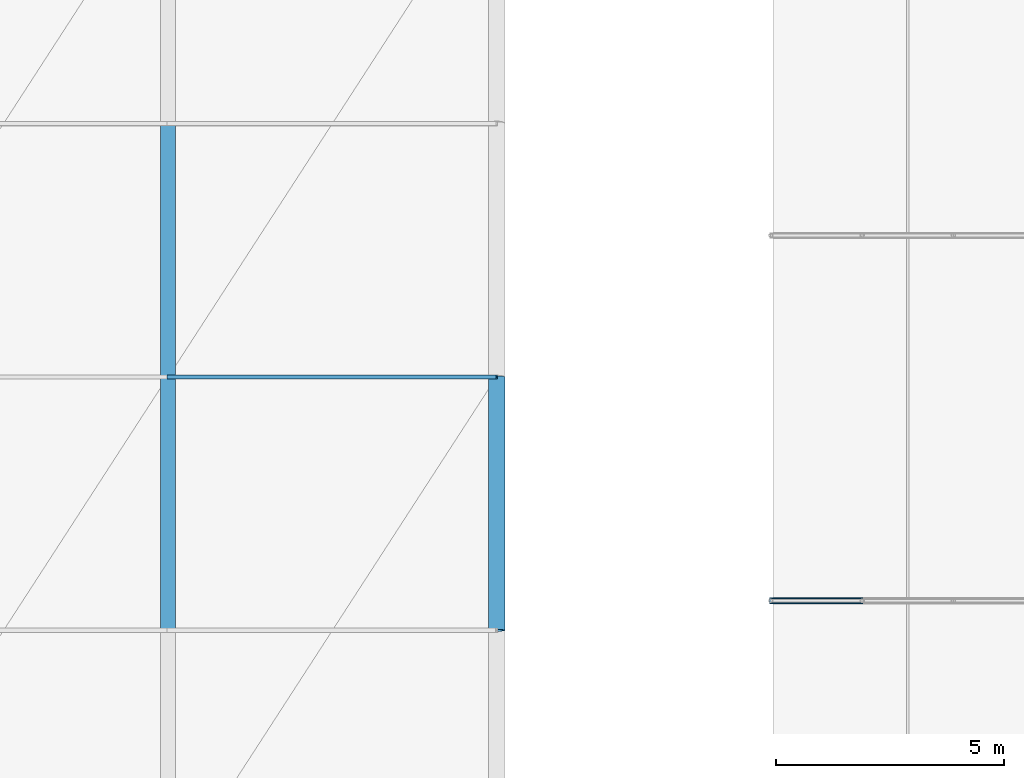
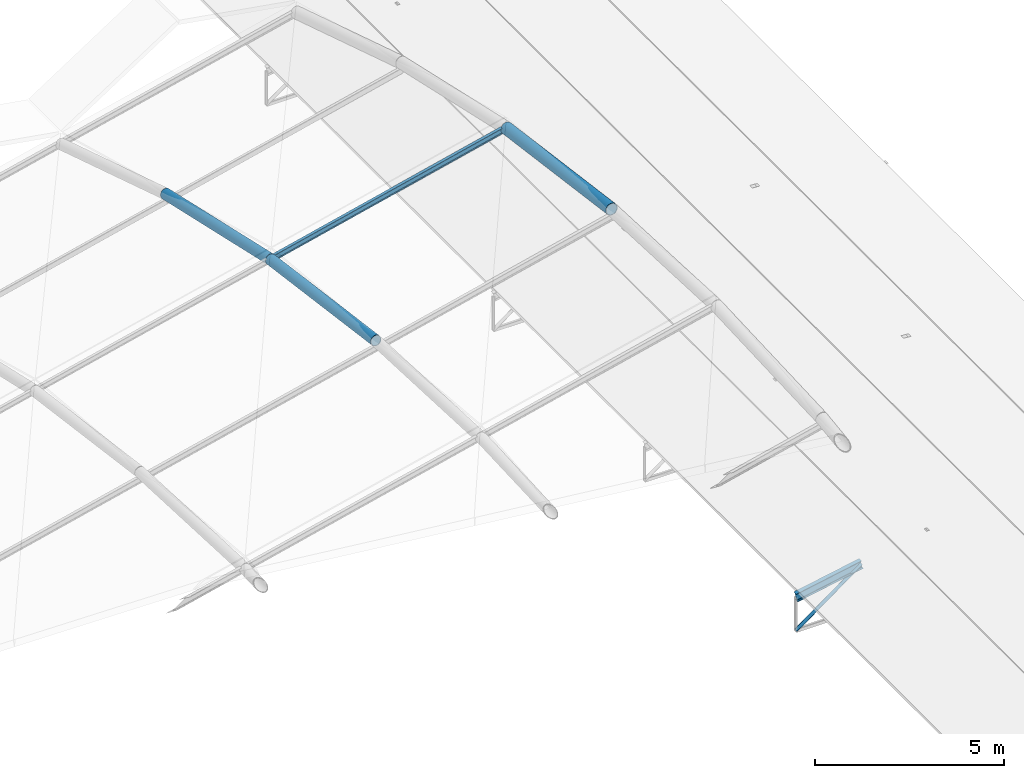
# One storey, part 18 of 54: 6 members.
"""IFC4 building model written with IfcOpenShell, lengths in metres."""

import ifcopenshell
import ifcopenshell.guid

model = None  # the IFC model being written
_history = None  # IfcOwnerHistory: only IFC2X3 demands one
_inside = {}  # id of a spatial element -> (the spatial element, [elements in it])
_under = {}  # id of a project, library or spatial element -> (it, [spatial elements below it])
_declared = {}  # id of a project -> (the project, [libraries it declares])
_typed = {}  # id of a type object -> (the type object, [elements of that type])
_made_of = {}  # id of a material, layer set ... -> (it, [elements and type objects made of it])


def new_model(schema):
    """Start an empty IFC model of exactly this schema.

    Asked for "IFC4X3", IfcOpenShell would pick the latest addendum, in which some entities
    have other attributes; the version numbers below select the first issue.
    IFC2X3 requires an IfcOwnerHistory on every rooted entity: one is made here for all.
    """
    global model, _history
    if schema == "IFC4X3":
        model = ifcopenshell.file(schema_version=(4, 3, 0, 0))
    else:
        model = ifcopenshell.file(schema=schema)
    _inside.clear()
    _under.clear()
    _declared.clear()
    _typed.clear()
    _made_of.clear()
    _history = None
    if model.schema == "IFC2X3":
        org = make("IfcOrganization", Name="unknown")
        user = make(
            "IfcPersonAndOrganization",
            ThePerson=make("IfcPerson", FamilyName="unknown"),
            TheOrganization=org,
        )
        app = make(
            "IfcApplication",
            ApplicationDeveloper=org,
            Version="unknown",
            ApplicationFullName="unknown",
            ApplicationIdentifier="unknown",
        )
        _history = make(
            "IfcOwnerHistory",
            OwningUser=user,
            OwningApplication=app,
            ChangeAction="ADDED",
            CreationDate=0,
        )
    return model


def make(cls, **values):
    """One entity of the class cls with the attributes given. An attribute that is None is left unset."""
    return model.create_entity(
        cls, **{name: value for name, value in values.items() if value is not None}
    )


def rooted(cls, **values):
    """An entity with a GlobalId (a new one), such as an element, a storey or a relation."""
    return make(cls, GlobalId=ifcopenshell.guid.new(), OwnerHistory=_history, **values)


def si_unit(unit_type, name, prefix=None):
    """IfcSIUnit, for example si_unit("LENGTHUNIT", "METRE", prefix="MILLI")."""
    return make("IfcSIUnit", UnitType=unit_type, Prefix=prefix, Name=name)


def derived_unit(unit_type, elements):
    """IfcDerivedUnit: a product of units, each with its exponent."""
    return make(
        "IfcDerivedUnit",
        Elements=[
            make("IfcDerivedUnitElement", Unit=unit, Exponent=power)
            for unit, power in elements
        ],
        UnitType=unit_type,
    )


def assignment(units):
    """IfcUnitAssignment: the units of a project."""
    return None if units is None else make("IfcUnitAssignment", Units=units)


def point(xyz):
    """IfcCartesianPoint."""
    return None if xyz is None else make("IfcCartesianPoint", Coordinates=xyz)


def direction(xyz):
    """IfcDirection."""
    return None if xyz is None else make("IfcDirection", DirectionRatios=xyz)


def frame(location, z_axis=None, x_axis=None):
    """IfcAxis2Placement3D, a coordinate frame: its origin and axes. An axis left out is left unset."""
    return make(
        "IfcAxis2Placement3D",
        Location=point(location),
        Axis=direction(z_axis),
        RefDirection=direction(x_axis),
    )


def frame_2d(location, x_axis=None):
    """IfcAxis2Placement2D, a coordinate frame in the plane: its origin and x axis."""
    return make(
        "IfcAxis2Placement2D", Location=point(location), RefDirection=direction(x_axis)
    )


def origin():
    """The frame at (0, 0, 0) with its axes left unset."""
    return frame((0.0, 0.0, 0.0))


def origin_2d():
    """The frame at (0, 0) in the plane with its x axis left unset."""
    return frame_2d((0.0, 0.0))


def place(relative_to, where):
    """IfcLocalPlacement: puts the frame where relative to a parent placement (None: the world)."""
    return make(
        "IfcLocalPlacement", PlacementRelTo=relative_to, RelativePlacement=where
    )


def context(
    kind, dimensions, precision=None, world=None, true_north=None, identifier=None
):
    """IfcGeometricRepresentationContext, for example the 3D "Model" context."""
    return make(
        "IfcGeometricRepresentationContext",
        ContextIdentifier=identifier,
        ContextType=kind,
        CoordinateSpaceDimension=dimensions,
        Precision=precision,
        WorldCoordinateSystem=world,
        TrueNorth=true_north,
    )


def subcontext(parent, identifier, kind, view, scale=None):
    """IfcGeometricRepresentationSubContext, for example "Body" below "Model"."""
    return make(
        "IfcGeometricRepresentationSubContext",
        ContextIdentifier=identifier,
        ContextType=kind,
        ParentContext=parent,
        TargetScale=scale,
        TargetView=view,
    )


def project(units=None, contexts=None):
    """IfcProject with its units and contexts."""
    return rooted(
        "IfcProject",
        Name="project",
        RepresentationContexts=contexts,
        UnitsInContext=assignment(units),
    )


def spatial(cls, under=None, at=None, **own):
    """A site, building, storey or space (cls), placed at a placement, below another one or the project."""
    s = rooted(cls, ObjectPlacement=at, **own)
    if under is not None:
        _under.setdefault(under.id(), (under, []))[1].append(s)
    return s


def profile(cls, at=None, kind="AREA", **sizes):
    """A parametric profile (cls). Its sizes go by their IFC names, for example OverallWidth=200.0."""
    return make(cls, ProfileType=kind, Position=at, **sizes)


def hollow_circle(**sizes):
    """IfcCircleHollowProfileDef."""
    return profile("IfcCircleHollowProfileDef", **sizes)


def i_section(**sizes):
    """IfcIShapeProfileDef."""
    return profile("IfcIShapeProfileDef", **sizes)


def extrude(swept, where, along, depth):
    """IfcExtrudedAreaSolid: the profile swept, set in the frame where, extruded along a direction by depth."""
    return make(
        "IfcExtrudedAreaSolid",
        SweptArea=swept,
        Position=where,
        ExtrudedDirection=direction(along),
        Depth=depth,
    )


def shape(context_of_items, identifier, shape_type, items):
    """IfcShapeRepresentation: the items that make up one representation, for example the "Body"."""
    return make(
        "IfcShapeRepresentation",
        ContextOfItems=context_of_items,
        RepresentationIdentifier=identifier,
        RepresentationType=shape_type,
        Items=items,
    )


def material(Name=None, Category=None):
    """IfcMaterial."""
    return make("IfcMaterial", Name=Name, Category=Category)


def material_profile(
    of_material, cross_section, Name=None, Category=None, Priority=None
):
    """IfcMaterialProfile: a cross section and its material."""
    return make(
        "IfcMaterialProfile",
        Name=Name,
        Material=of_material,
        Profile=cross_section,
        Priority=Priority,
        Category=Category,
    )


def profile_set(profiles, Name=None, composite=None):
    """IfcMaterialProfileSet."""
    return make(
        "IfcMaterialProfileSet",
        Name=Name,
        MaterialProfiles=profiles,
        CompositeProfile=composite,
    )


def made_of(thing, what):
    """Note that an element or type object is made of a material, layer set ...; save() writes the relation."""
    if what is not None:
        _made_of.setdefault(what.id(), (what, []))[1].append(thing)
    return thing


def type_object(cls, material=None, **own):
    """A type object (cls), such as IfcWallType, which elements share."""
    return made_of(rooted(cls, **own), material)


def element(
    cls,
    number,
    at=None,
    inside=None,
    cuts=None,
    type_object=None,
    material=None,
    context=None,
    identifier="Body",
    shape_type=None,
    held_by="IfcProductDefinitionShape",
    body=None,
    shapes=None,
    **own,
):
    """One element of the class cls, such as IfcWall. Its Tag is "e" and its number.

    at: its placement. inside: the storey or other place that contains it. cuts: it is an
    opening in that element (IfcRelVoidsElement). A single representation is given by context,
    identifier, shape_type and body (its items); several are given by shapes. held_by: the class
    of the entity that holds the representations. save() writes the other relations.
    """
    e = rooted(cls, Tag="e%d" % number, ObjectPlacement=at, **own)
    if body is not None:
        shapes = [shape(context, identifier, shape_type, body)]
    if shapes is not None:
        e.Representation = make(held_by, Representations=shapes)
    if inside is not None:
        _inside.setdefault(inside.id(), (inside, []))[1].append(e)
    if cuts is not None:
        rooted(
            "IfcRelVoidsElement", RelatingBuildingElement=cuts, RelatedOpeningElement=e
        )
    if type_object is not None:
        _typed.setdefault(type_object.id(), (type_object, []))[1].append(e)
    return made_of(e, material)


def aggregate(whole, parts):
    """IfcRelAggregates: a whole, such as a stair, and the parts it consists of."""
    return rooted("IfcRelAggregates", RelatingObject=whole, RelatedObjects=parts)


def save(model, path):
    """Write the relations noted so far, then the file.

    IfcRelAggregates (storeys below a building ...), IfcRelContainedInSpatialStructure (elements
    in a storey), IfcRelDefinesByType, IfcRelAssociatesMaterial and IfcRelDeclares: one each for
    every whole, place, type object, material and project.
    """
    for whole, parts in _under.values():
        aggregate(whole, parts)
    for where, things in _inside.values():
        rooted(
            "IfcRelContainedInSpatialStructure",
            RelatedElements=things,
            RelatingStructure=where,
        )
    for kind, things in _typed.values():
        rooted("IfcRelDefinesByType", RelatedObjects=things, RelatingType=kind)
    for what, things in _made_of.values():
        rooted("IfcRelAssociatesMaterial", RelatedObjects=things, RelatingMaterial=what)
    for by, libraries in _declared.values():
        rooted("IfcRelDeclares", RelatingContext=by, RelatedDefinitions=libraries)
    model.write(path)


model = new_model("IFC4")

# Units and contexts
model_context = context("Model", 3, precision=1e-05, world=origin(), true_north=direction((0.0, 1.0)))
body_context = subcontext(model_context, "Body", "Model", "MODEL_VIEW")
ifc_project = project(units=[si_unit("LENGTHUNIT", "METRE"), si_unit("AREAUNIT", "SQUARE_METRE"), si_unit("VOLUMEUNIT", "CUBIC_METRE"), si_unit("PLANEANGLEUNIT", "RADIAN"), si_unit("MASSUNIT", "GRAM", prefix="KILO"), derived_unit("THERMALTRANSMITTANCEUNIT", [(si_unit("POWERUNIT", "WATT"), 1), (si_unit("LENGTHUNIT", "METRE"), -2), (si_unit("THERMODYNAMICTEMPERATUREUNIT", "KELVIN"), -1)])], contexts=[model_context])

# Site, building, storey
site_placement = place(None, origin())
site = spatial("IfcSite", under=ifc_project, at=site_placement, CompositionType="ELEMENT")
building_placement = place(site_placement, origin())
building = spatial("IfcBuilding", under=site, at=building_placement, Name="Keldorne Ridge Multi-Sports Centre", CompositionType="ELEMENT")
storey_placement = place(building_placement, frame((0.0, 0.0, 22.199951171875)))
storey = spatial("IfcBuildingStorey", under=building, at=storey_placement, Name="ROOF", CompositionType="ELEMENT", Elevation=22.199951171875)

# Members
ifc_material = material(Name="Steel S355", Category="steel")
ifc_material_profile_1 = material_profile(ifc_material, i_section(OverallWidth=0.091064453125, OverallDepth=0.179931640625, WebThickness=0.00537109375, FlangeThickness=0.008056640625, FilletRadius=0.009033203125, at=origin_2d()), Name="IPE 180")
ifc_profile_set_1 = profile_set([ifc_material_profile_1], Name="Steel S355")
member_type_1 = type_object("IfcMemberType", Name="MEM-PR-02", PredefinedType="PURLIN", material=ifc_profile_set_1)
member_1_placement = place(storey_placement, frame((70.800048828125, 42.89990234375, -0.079833984375), z_axis=(0.972632545932, 0.0, 0.232348726259), x_axis=(0.0, 1.0, 0.0)))
element("IfcMember", 1, at=member_1_placement, inside=storey, type_object=member_type_1, Name="Main Hall roof purlin 10.7", PredefinedType="PURLIN", context=body_context, shape_type="SweptSolid", body=[
    extrude(i_section(OverallWidth=0.091064453125, OverallDepth=0.179931640625, WebThickness=0.00537109375, FlangeThickness=0.008056640625, FilletRadius=0.009033203125, at=origin_2d()), origin(), (0.0, 0.0, 1.0), 7.402587890625),
])
ifc_material_profile_2 = material_profile(ifc_material, i_section(OverallWidth=0.135009765625, OverallDepth=0.27001953125, WebThickness=0.006591796875, FlangeThickness=0.01025390625, FilletRadius=0.014892578125, at=origin_2d()), Name="IPE 270")
ifc_profile_set_2 = profile_set([ifc_material_profile_2], Name="Steel S355")
member_type_2 = type_object("IfcMemberType", Name="MEM-RF-02", PredefinedType="RAFTER", material=ifc_profile_set_2)
member_2_placement = place(storey_placement, frame((84.0, 38.0, -12.639892578125), z_axis=(0.982435006317, 0.0, 0.186605086649), x_axis=(0.0, 1.0, 0.0)))
element("IfcMember", 2, at=member_2_placement, inside=storey, type_object=member_type_2, Name="Public Passage bowstring arch top chord 05.1", PredefinedType="RAFTER", context=body_context, shape_type="SweptSolid", body=[
    extrude(i_section(OverallWidth=0.135009765625, OverallDepth=0.27001953125, WebThickness=0.006591796875, FlangeThickness=0.01025390625, FilletRadius=0.014892578125, at=origin_2d()), origin(), (0.0, 0.0, 1.0), 2.03564453125),
])
ifc_material_profile_3 = material_profile(ifc_material, hollow_circle(Radius=0.177734375, WallThickness=0.01611328125, at=origin_2d()), Name="CHS 355.6x16")
ifc_profile_set_3 = profile_set([ifc_material_profile_3], Name="Steel S355")
member_type_3 = type_object("IfcMemberType", Name="MEM-TC-01", PredefinedType="CHORD", material=ifc_profile_set_3)
member_3_placement = place(storey_placement, frame((78.0, 37.35009765625, 2.3701171875), z_axis=(0.0, 0.990991804939, -0.133922524405), x_axis=(-1.0, 0.0, 0.0)))
element("IfcMember", 3, at=member_3_placement, inside=storey, type_object=member_type_3, Name="Main Hall ROOF TRUSS AT-11 top chord 6", PredefinedType="CHORD", context=body_context, shape_type="SweptSolid", body=[
    extrude(hollow_circle(Radius=0.177734375, WallThickness=0.01611328125, at=origin_2d()), origin(), (0.0, 0.0, 1.0), 5.600341796875),
])
ifc_material_profile_4 = material_profile(ifc_material, hollow_circle(Radius=0.161865234375, WallThickness=0.01611328125, at=origin_2d()), Name="CHS 323.9x16")
ifc_profile_set_4 = profile_set([ifc_material_profile_4], Name="Steel S355")
member_type_4 = type_object("IfcMemberType", Name="MEM-TC-02", PredefinedType="CHORD", material=ifc_profile_set_4)
member_4_placement = place(storey_placement, frame((70.800048828125, 37.35009765625, 0.650146484375), z_axis=(0.0, 0.990991804939, -0.133922524405), x_axis=(-1.0, 0.0, 0.0)))
element("IfcMember", 4, at=member_4_placement, inside=storey, type_object=member_type_4, Name="Main Hall ROOF TRUSS AT-10 top chord 6", PredefinedType="CHORD", context=body_context, shape_type="SweptSolid", body=[
    extrude(hollow_circle(Radius=0.161865234375, WallThickness=0.01611328125, at=origin_2d()), origin(), (0.0, 0.0, 1.0), 5.600341796875),
])
member_5_placement = place(storey_placement, frame((70.800048828125, 42.89990234375, -0.099853515625), z_axis=(0.0, 0.975563092904, -0.219719484259), x_axis=(-1.0, 0.0, 0.0)))
element("IfcMember", 5, at=member_5_placement, inside=storey, type_object=member_type_4, Name="Main Hall ROOF TRUSS AT-10 top chord 7", PredefinedType="CHORD", context=body_context, shape_type="SweptSolid", body=[
    extrude(hollow_circle(Radius=0.161865234375, WallThickness=0.01611328125, at=origin_2d()), origin(), (0.0, 0.0, 1.0), 5.68896484375),
])
ifc_material_profile_5 = material_profile(ifc_material, hollow_circle(Radius=0.05078125, WallThickness=0.00634765625, at=origin_2d()), Name="CHS 101.6x6.3")
ifc_profile_set_5 = profile_set([ifc_material_profile_5], Name="Steel S355")
member_type_5 = type_object("IfcMemberType", Name="MEM-TD-05", PredefinedType="BRACE", material=ifc_profile_set_5)
member_6_placement = place(storey_placement, frame((84.0, 38.0, -13.719970703125), z_axis=(0.8076945033, 0.0, 0.589601212125), x_axis=(0.0, 1.0, 0.0)))
element("IfcMember", 6, at=member_6_placement, inside=storey, type_object=member_type_5, Name="Public Passage bowstring web diagonal 05.1", PredefinedType="BRACE", context=body_context, shape_type="SweptSolid", body=[
    extrude(hollow_circle(Radius=0.05078125, WallThickness=0.00634765625, at=origin_2d()), origin(), (0.0, 0.0, 1.0), 2.47607421875),
])

save(model, "model.ifc")
